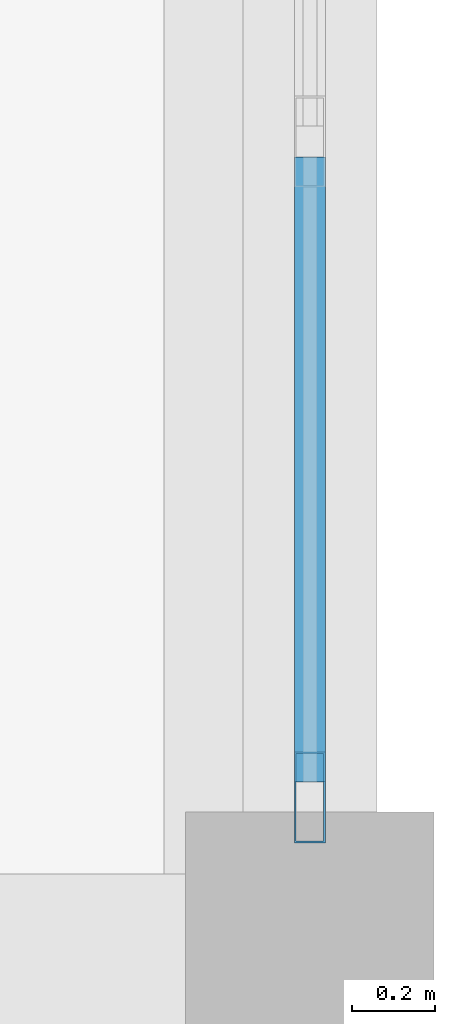
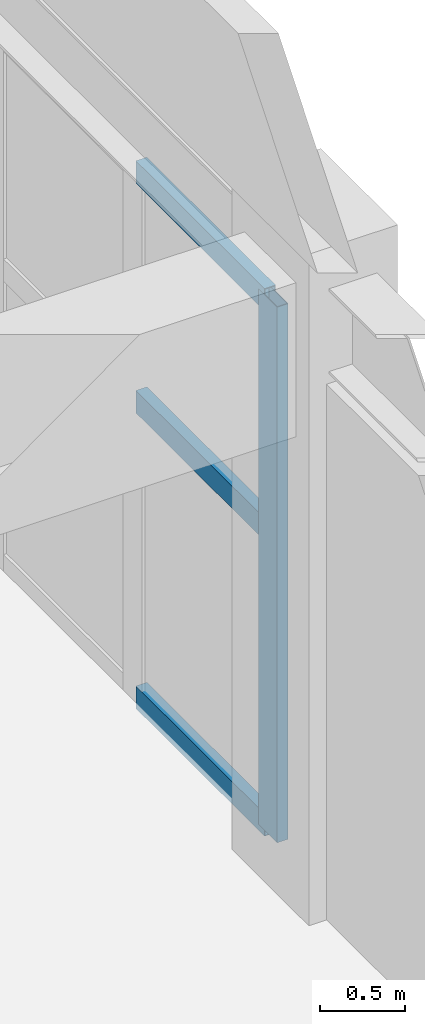
# One storey, part 53 of 96: 4 members, 1 element without a shape of its own.
"""IFC4 building model written with IfcOpenShell, lengths in metres."""

from ifc_helpers import new_model, si_unit, direction, frame, origin, origin_2d, place, context, subcontext, project, spatial, hollow_rectangle, extrude, material, layer, layer_set, material_profile, profile_set, type_object, element, aggregate, save


model = new_model("IFC4")

# Units and contexts
model_context = context("Model", 3, precision=1e-05, world=origin(), true_north=direction((0.0, 1.0)))
body_context = subcontext(model_context, "Body", "Model", "MODEL_VIEW")
ifc_project = project(units=[si_unit("LENGTHUNIT", "METRE"), si_unit("AREAUNIT", "SQUARE_METRE"), si_unit("VOLUMEUNIT", "CUBIC_METRE"), si_unit("PLANEANGLEUNIT", "RADIAN"), si_unit("MASSUNIT", "GRAM", prefix="KILO")], contexts=[model_context])

# Site, building, storey
site_placement = place(None, origin())
site = spatial("IfcSite", under=ifc_project, at=site_placement, CompositionType="ELEMENT")
building_placement = place(site_placement, origin())
building = spatial("IfcBuilding", under=site, at=building_placement, Name="Vaelkrest Opera House", CompositionType="ELEMENT")
storey_placement = place(building_placement, frame((0.0, 0.0, 5.39990234375)))
storey = spatial("IfcBuildingStorey", under=building, at=storey_placement, Name="L01", CompositionType="ELEMENT", Elevation=5.39990234375)

# Curtain wall, members
ifc_material = material(Name="Dark bronze anodized aluminium", Category="aluminium")
ifc_layer = layer(ifc_material, 0.199951171875)
ifc_layer_set = layer_set([ifc_layer], Name="Dark bronze anodized aluminium")
curtain_wall_type = type_object("IfcCurtainWallType", Name="CW03", PredefinedType="NOTDEFINED", material=ifc_layer_set)
curtain_wall_placement = place(storey_placement, origin())
curtain_wall = element("IfcCurtainWall", 1, at=curtain_wall_placement, inside=storey, type_object=curtain_wall_type, Name="Curtain wall CW-L01-160", PredefinedType="NOTDEFINED")
ifc_material_profile_1 = material_profile(ifc_material, hollow_rectangle(XDim=0.074951171875, YDim=0.219970703125, WallThickness=0.00439453125, at=origin_2d()), Name="CWM75X220")
ifc_profile_set_1 = profile_set([ifc_material_profile_1], Name="Dark bronze anodized aluminium")
member_type_1 = type_object("IfcMemberType", Name="CWM03", PredefinedType="MULLION", material=ifc_profile_set_1)
member_1_placement = place(storey_placement, frame((86.39990234375, -28.314453125, 0.0), z_axis=(0.0, 0.0, 1.0), x_axis=(1.0, 0.0, 0.0)))
member_1 = element("IfcMember", 2, at=member_1_placement, type_object=member_type_1, Name="CW03 mullion 6", PredefinedType="MULLION", context=body_context, shape_type="SweptSolid", body=[
    extrude(hollow_rectangle(XDim=0.074951171875, YDim=0.219970703125, WallThickness=0.00439453125, at=origin_2d()), origin(), (0.0, 0.0, 1.0), 3.8291015625),
])
ifc_material_profile_2 = material_profile(ifc_material, hollow_rectangle(XDim=0.074951171875, YDim=0.159912109375, WallThickness=0.00439453125, at=origin_2d()), Name="CWT75X160")
ifc_profile_set_2 = profile_set([ifc_material_profile_2], Name="Dark bronze anodized aluminium")
member_type_2 = type_object("IfcMemberType", Name="CWT03", PredefinedType="USERDEFINED", material=ifc_profile_set_2)
member_2_placement = place(storey_placement, frame((86.39990234375, -26.768798828125, 0.03759765625), z_axis=(0.0, -1.0, 0.0), x_axis=(1.0, 0.0, 0.0)))
member_2 = element("IfcMember", 3, at=member_2_placement, type_object=member_type_2, Name="CW03 transom 5.1", ObjectType="TRANSOM", PredefinedType="USERDEFINED", context=body_context, shape_type="SweptSolid", body=[
    extrude(hollow_rectangle(XDim=0.074951171875, YDim=0.159912109375, WallThickness=0.00439453125, at=origin_2d()), origin(), (0.0, 0.0, 1.0), 1.50830078125),
])
member_3_placement = place(storey_placement, frame((86.39990234375, -26.768798828125, 2.150146484375), z_axis=(0.0, -1.0, 0.0), x_axis=(1.0, 0.0, 0.0)))
member_3 = element("IfcMember", 4, at=member_3_placement, type_object=member_type_2, Name="CW03 transom 5.2", ObjectType="TRANSOM", PredefinedType="USERDEFINED", context=body_context, shape_type="SweptSolid", body=[
    extrude(hollow_rectangle(XDim=0.074951171875, YDim=0.159912109375, WallThickness=0.00439453125, at=origin_2d()), origin(), (0.0, 0.0, 1.0), 1.50830078125),
])
member_4_placement = place(storey_placement, frame((86.39990234375, -26.768798828125, 3.79150390625), z_axis=(0.0, -1.0, 0.0), x_axis=(1.0, 0.0, 0.0)))
member_4 = element("IfcMember", 5, at=member_4_placement, type_object=member_type_2, Name="CW03 transom 5.3", ObjectType="TRANSOM", PredefinedType="USERDEFINED", context=body_context, shape_type="SweptSolid", body=[
    extrude(hollow_rectangle(XDim=0.074951171875, YDim=0.159912109375, WallThickness=0.00439453125, at=origin_2d()), origin(), (0.0, 0.0, 1.0), 1.50830078125),
])
aggregate(curtain_wall, [member_1, member_2, member_3, member_4])

save(model, "model.ifc")
